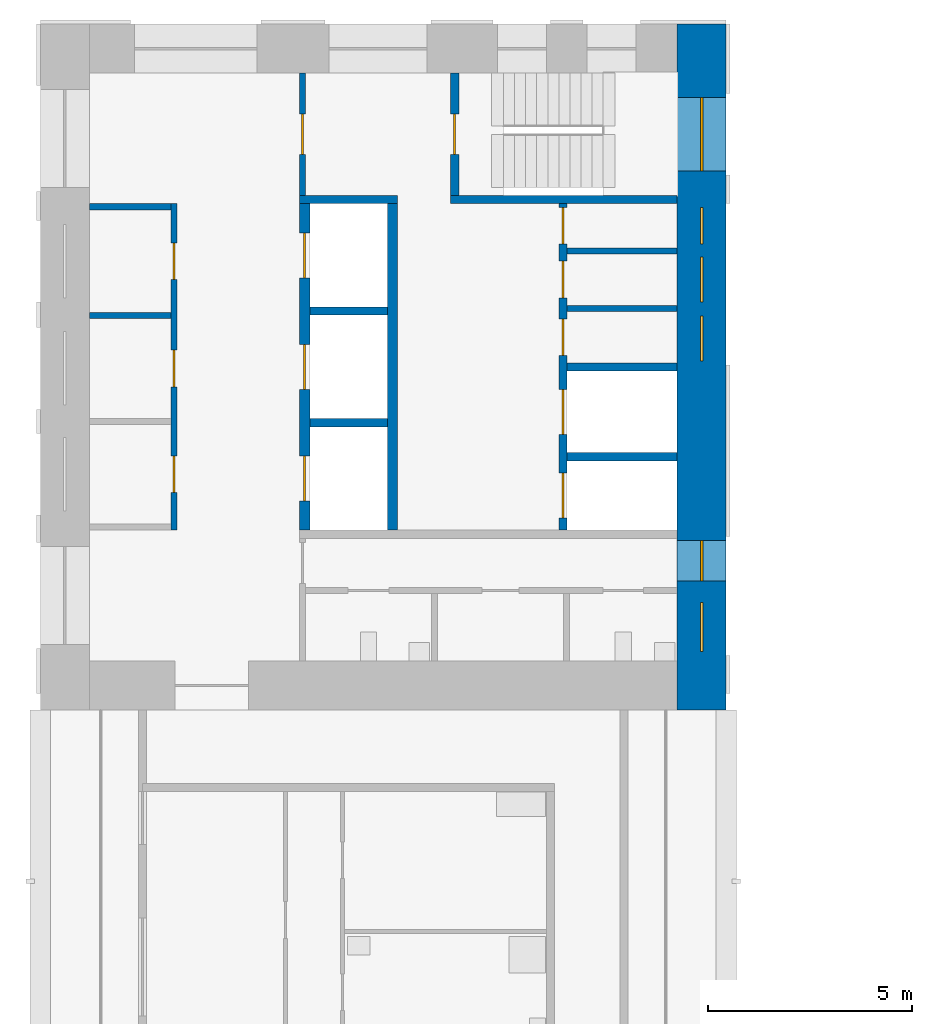
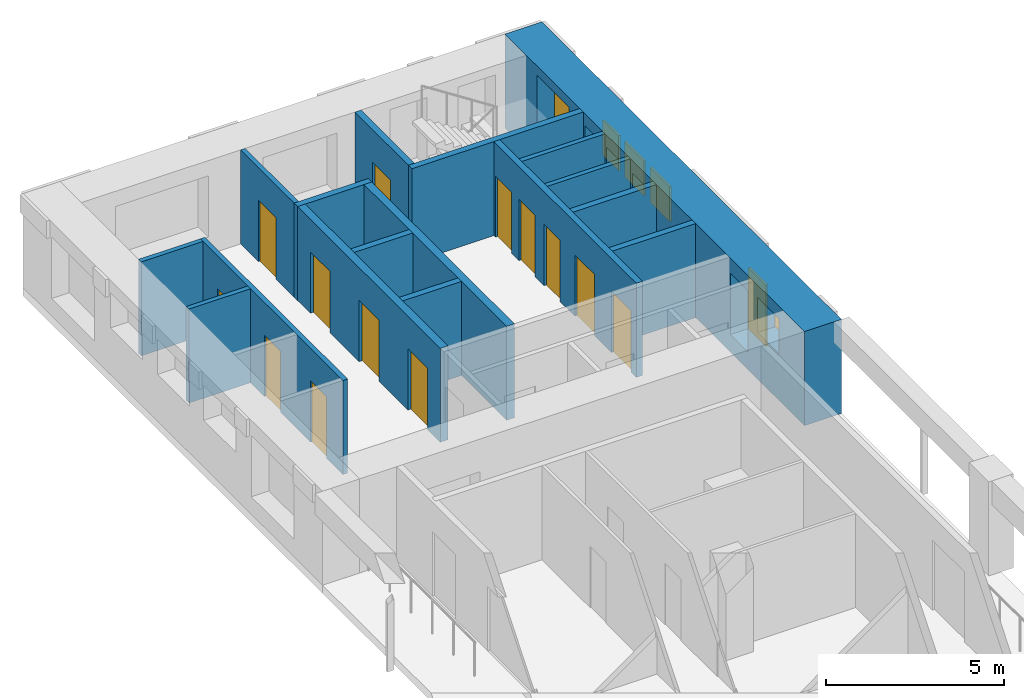
# One storey, part 6 of 10: 17 walls, 13 doors, 6 windows, 19 openings.
"""IFC4 building model written with IfcOpenShell, lengths in metres."""

from ifc_helpers import new_model, si_unit, direction, frame, frame_2d, origin, place, context, subcontext, project, spatial, rectangle, extrude, material, layer, layer_set, type_object, element, fill, save


model = new_model("IFC4")

# Units and contexts
model_context = context("Model", 3, precision=1e-05, world=origin(), true_north=direction((0.0, 1.0)))
body_context = subcontext(model_context, "Body", "Model", "MODEL_VIEW")
ifc_project = project(units=[si_unit("LENGTHUNIT", "METRE"), si_unit("AREAUNIT", "SQUARE_METRE"), si_unit("VOLUMEUNIT", "CUBIC_METRE"), si_unit("PLANEANGLEUNIT", "RADIAN"), si_unit("MASSUNIT", "GRAM", prefix="KILO")], contexts=[model_context])

# Site, building, storey
site_placement = place(None, origin())
site = spatial("IfcSite", under=ifc_project, at=site_placement, CompositionType="ELEMENT")
building_placement = place(site_placement, origin())
building = spatial("IfcBuilding", under=site, at=building_placement, Name="Vermilion Gate Residences", CompositionType="ELEMENT")
storey_placement = place(building_placement, frame((0.0, 0.0, 270.199951171875)))
storey = spatial("IfcBuildingStorey", under=building, at=storey_placement, Name="L71", CompositionType="ELEMENT", Elevation=270.199951171875)

# Walls
ifc_material_1 = material(Name="Masonry blockwork", Category="masonry")
ifc_layer_1 = layer(ifc_material_1, 0.14990234375)
ifc_layer_set_1 = layer_set([ifc_layer_1], Name="BLOCKWORK PARTITION 150 EI 120")
wall_type_1 = type_object("IfcWallType", Name="BLOCKWORK PARTITION 150 EI 120", PredefinedType="PARTITIONING", material=ifc_layer_set_1)
for number, where, z_axis, x_axis, name in (
    (1, (9.60009765625, 54.324951171875, 0.0), (0.0, 0.0, 1.0), (1.0, 0.0, 0.0), "Core room partition B71-RW-W"),
    (2, (9.60009765625, 51.658935546875, 0.0), (0.0, 0.0, 1.0), (1.0, 0.0, 0.0), "Core room partition B71-SR-P0"),
):
    element("IfcWall", number, at=place(storey_placement, frame(where, z_axis=z_axis, x_axis=x_axis)), inside=storey, type_object=wall_type_1, Name=name, PredefinedType="PARTITIONING", context=body_context, shape_type="SweptSolid", body=[
        extrude(rectangle(XDim=2.0, YDim=0.14990234375, at=frame_2d((1.0, 0.0))), origin(), (0.0, 0.0, 1.0), 3.219970703125),
    ])

# Wall, openings, doors
wall_1_placement = place(storey_placement, frame((11.675048828125, 54.39990234375, 0.0), z_axis=(0.0, 0.0, 1.0), x_axis=(0.0, -1.0, 0.0)))
wall_1 = element("IfcWall", 3, at=wall_1_placement, inside=storey, type_object=wall_type_1, Name="Core room partition B71-LR-F", PredefinedType="PARTITIONING", context=body_context, shape_type="SweptSolid", body=[
    extrude(rectangle(XDim=8.0, YDim=0.14990234375, at=frame_2d((4.0, 0.0))), origin(), (0.0, 0.0, 1.0), 3.219970703125),
])
opening_1_placement = place(wall_1_placement, frame((0.9580078125, 0.0, 0.0)))
opening_1 = element("IfcOpeningElement", 4, at=opening_1_placement, cuts=wall_1, Name="Opening DK71102", PredefinedType="OPENING", context=body_context, shape_type="SweptSolid", body=[
    extrude(rectangle(XDim=0.89990234375, YDim=2.10009765625, at=frame_2d((0.449951171875, 1.050048828125))), frame((0.0, 0.0849609375, 0.0), z_axis=(0.0, -1.0, 0.0), x_axis=(1.0, 0.0, 0.0)), (0.0, 0.0, 1.0), 0.169921875),
])
opening_2_placement = place(wall_1_placement, frame((3.5869140625, 0.0, 0.0)))
opening_2 = element("IfcOpeningElement", 5, at=opening_2_placement, cuts=wall_1, Name="Opening DK71103", PredefinedType="OPENING", context=body_context, shape_type="SweptSolid", body=[
    extrude(rectangle(XDim=0.89990234375, YDim=2.10009765625, at=frame_2d((0.449951171875, 1.050048828125))), frame((0.0, 0.0849609375, 0.0), z_axis=(0.0, -1.0, 0.0), x_axis=(1.0, 0.0, 0.0)), (0.0, 0.0, 1.0), 0.169921875),
])
opening_3_placement = place(wall_1_placement, frame((6.178955078125, 0.0, 0.0)))
opening_3 = element("IfcOpeningElement", 6, at=opening_3_placement, cuts=wall_1, Name="Opening DK71104", PredefinedType="OPENING", context=body_context, shape_type="SweptSolid", body=[
    extrude(rectangle(XDim=0.89990234375, YDim=2.10009765625, at=frame_2d((0.449951171875, 1.050048828125))), frame((0.0, 0.0849609375, 0.0), z_axis=(0.0, -1.0, 0.0), x_axis=(1.0, 0.0, 0.0)), (0.0, 0.0, 1.0), 0.169921875),
])
ifc_material_2 = material(Name="Steel", Category="steel")
door_type_1 = type_object("IfcDoorType", Name="SERVICE ROOM DOOR FD60 900 X 2100", OperationType="SINGLE_SWING_LEFT", PredefinedType="DOOR", material=ifc_material_2)
door_1_placement = place(opening_1_placement, frame((0.89990234375, 0.0, 0.0), z_axis=(0.0, 0.0, 1.0), x_axis=(-1.0, 0.0, 0.0)))
door_1 = element("IfcDoor", 7, at=door_1_placement, inside=storey, type_object=door_type_1, Name="Mail room B71", OperationType="SINGLE_SWING_RIGHT", OverallHeight=2.10009765625, OverallWidth=0.89990234375, PredefinedType="DOOR", context=body_context, shape_type="SweptSolid", body=[
    extrude(rectangle(XDim=0.89990234375, YDim=2.10009765625, at=frame_2d((0.449951171875, 1.050048828125))), frame((0.0, 0.02490234375, 0.0), z_axis=(0.0, -1.0, 0.0), x_axis=(1.0, 0.0, 0.0)), (0.0, 0.0, 1.0), 0.050048828125),
])
fill(opening_1, door_1)
door_2_placement = place(opening_2_placement, frame((0.89990234375, 0.0, 0.0), z_axis=(0.0, 0.0, 1.0), x_axis=(-1.0, 0.0, 0.0)))
door_2 = element("IfcDoor", 8, at=door_2_placement, inside=storey, type_object=door_type_1, Name="Cleaner's store B71", OperationType="SINGLE_SWING_LEFT", OverallHeight=2.10009765625, OverallWidth=0.89990234375, PredefinedType="DOOR", context=body_context, shape_type="SweptSolid", body=[
    extrude(rectangle(XDim=0.89990234375, YDim=2.10009765625, at=frame_2d((0.449951171875, 1.050048828125))), frame((0.0, 0.02490234375, 0.0), z_axis=(0.0, -1.0, 0.0), x_axis=(1.0, 0.0, 0.0)), (0.0, 0.0, 1.0), 0.050048828125),
])
fill(opening_2, door_2)
door_3_placement = place(opening_3_placement, origin())
door_3 = element("IfcDoor", 9, at=door_3_placement, inside=storey, type_object=door_type_1, Name="Electrical room B71", OperationType="SINGLE_SWING_LEFT", OverallHeight=2.10009765625, OverallWidth=0.89990234375, PredefinedType="DOOR", context=body_context, shape_type="SweptSolid", body=[
    extrude(rectangle(XDim=0.89990234375, YDim=2.10009765625, at=frame_2d((0.449951171875, 1.050048828125))), frame((0.0, 0.02490234375, 0.0), z_axis=(0.0, -1.0, 0.0), x_axis=(1.0, 0.0, 0.0)), (0.0, 0.0, 1.0), 0.050048828125),
])
fill(opening_3, door_3)

# Walls
for number, where, z_axis, x_axis, name in (
    (10, (21.300048828125, 53.2451171875, 0.0), (0.0, 0.0, 1.0), (1.0, 0.0, 0.0), "Core room partition B71-NR-P0"),
    (11, (21.300048828125, 51.8349609375, 0.0), (0.0, 0.0, 1.0), (1.0, 0.0, 0.0), "Core room partition B71-NR-P1"),
):
    element("IfcWall", number, at=place(storey_placement, frame(where, z_axis=z_axis, x_axis=x_axis)), inside=storey, type_object=wall_type_1, Name=name, PredefinedType="PARTITIONING", context=body_context, shape_type="SweptSolid", body=[
        extrude(rectangle(XDim=2.699951171875, YDim=0.14990234375, at=frame_2d((1.35009765625, 0.0))), origin(), (0.0, 0.0, 1.0), 3.219970703125),
    ])

# Wall, opening, door
wall_2_placement = place(storey_placement, frame((14.824951171875, 57.60009765625, 0.0), z_axis=(0.0, 0.0, 1.0), x_axis=(0.0, -1.0, 0.0)))
wall_2 = element("IfcWall", 12, at=wall_2_placement, inside=storey, type_object=wall_type_1, Name="Core room partition B71-VW-S", PredefinedType="PARTITIONING", context=body_context, shape_type="SweptSolid", body=[
    extrude(rectangle(XDim=3.0, YDim=0.14990234375, at=frame_2d((1.5, 0.0))), origin(), (0.0, 0.0, 1.0), 3.219970703125),
])
opening_4_placement = place(wall_2_placement, frame((1.0, 0.0, 0.0)))
opening_4 = element("IfcOpeningElement", 13, at=opening_4_placement, cuts=wall_2, Name="Opening DK71113", PredefinedType="OPENING", context=body_context, shape_type="SweptSolid", body=[
    extrude(rectangle(XDim=1.0, YDim=2.10009765625, at=frame_2d((0.5, 1.050048828125))), frame((0.0, 0.0849609375, 0.0), z_axis=(0.0, -1.0, 0.0), x_axis=(1.0, 0.0, 0.0)), (0.0, 0.0, 1.0), 0.169921875),
])
ifc_material_3 = material(Name="Steel", Category="steel")
door_type_2 = type_object("IfcDoorType", Name="FIRE DOOR FD60 1000 X 2100", OperationType="SINGLE_SWING_LEFT", PredefinedType="DOOR", material=ifc_material_3)
door_4_placement = place(opening_4_placement, frame((1.0, 0.0, 0.0), z_axis=(0.0, 0.0, 1.0), x_axis=(-1.0, 0.0, 0.0)))
door_4 = element("IfcDoor", 14, at=door_4_placement, inside=storey, type_object=door_type_2, Name="Stair vestibule door B71", OperationType="SINGLE_SWING_RIGHT", OverallHeight=2.10009765625, OverallWidth=1.0, PredefinedType="DOOR", context=body_context, shape_type="SweptSolid", body=[
    extrude(rectangle(XDim=1.0, YDim=2.10009765625, at=frame_2d((0.5, 1.050048828125))), frame((0.0, 0.02490234375, 0.0), z_axis=(0.0, -1.0, 0.0), x_axis=(1.0, 0.0, 0.0)), (0.0, 0.0, 1.0), 0.050048828125),
])
fill(opening_4, door_4)

# Walls
ifc_material_4 = material(Name="Concrete C60", Category="concrete")
ifc_layer_2 = layer(ifc_material_4, 0.199951171875)
ifc_layer_set_2 = layer_set([ifc_layer_2], Name="RC CORE INTERNAL WALL 200 C60")
wall_type_2 = type_object("IfcWallType", Name="RC CORE INTERNAL WALL 200 C60", PredefinedType="SHEAR", material=ifc_layer_set_2)
for number, where, z_axis, x_axis, name in (
    (15, (15.0, 51.7666015625, 0.0), (0.0, 0.0, 1.0), (1.0, 0.0, 0.0), "Core internal wall B71-HR-D1"),
    (16, (15.0, 49.033447265625, 0.0), (0.0, 0.0, 1.0), (1.0, 0.0, 0.0), "Core internal wall B71-HR-D2"),
):
    element("IfcWall", number, at=place(storey_placement, frame(where, z_axis=z_axis, x_axis=x_axis)), inside=storey, type_object=wall_type_2, Name=name, PredefinedType="SHEAR", context=body_context, shape_type="SweptSolid", body=[
        extrude(rectangle(XDim=1.89990234375, YDim=0.199951171875, at=frame_2d((0.949951171875, 0.0))), origin(), (0.0, 0.0, 1.0), 3.219970703125),
    ])
for number, where, z_axis, x_axis, name in (
    (17, (21.300048828125, 50.39990234375, 0.0), (0.0, 0.0, 1.0), (1.0, 0.0, 0.0), "Core internal wall B71-FF-D0"),
    (18, (21.300048828125, 48.199951171875, 0.0), (0.0, 0.0, 1.0), (1.0, 0.0, 0.0), "Core internal wall B71-FF-D1"),
):
    element("IfcWall", number, at=place(storey_placement, frame(where, z_axis=z_axis, x_axis=x_axis)), inside=storey, type_object=wall_type_2, Name=name, PredefinedType="SHEAR", context=body_context, shape_type="SweptSolid", body=[
        extrude(rectangle(XDim=2.699951171875, YDim=0.199951171875, at=frame_2d((1.35009765625, 0.0))), origin(), (0.0, 0.0, 1.0), 3.219970703125),
    ])

# Wall, openings, doors
wall_3_placement = place(storey_placement, frame((21.199951171875, 54.39990234375, 0.0), z_axis=(0.0, 0.0, 1.0), x_axis=(0.0, -1.0, 0.0)))
wall_3 = element("IfcWall", 19, at=wall_3_placement, inside=storey, type_object=wall_type_2, Name="Core internal wall B71-FF-F", PredefinedType="SHEAR", context=body_context, shape_type="SweptSolid", body=[
    extrude(rectangle(XDim=8.0, YDim=0.199951171875, at=frame_2d((4.0, 0.0))), origin(), (0.0, 0.0, 1.0), 3.219970703125),
])
opening_5_placement = place(wall_3_placement, frame((0.090087890625, 0.0, 0.0)))
opening_5 = element("IfcOpeningElement", 20, at=opening_5_placement, cuts=wall_3, Name="Opening DK71108", PredefinedType="OPENING", context=body_context, shape_type="SweptSolid", body=[
    extrude(rectangle(XDim=0.89990234375, YDim=2.10009765625, at=frame_2d((0.449951171875, 1.050048828125))), frame((0.0, 0.10986328125, 0.0), z_axis=(0.0, -1.0, 0.0), x_axis=(1.0, 0.0, 0.0)), (0.0, 0.0, 1.0), 0.219970703125),
])
opening_6_placement = place(wall_3_placement, frame((1.409912109375, 0.0, 0.0)))
opening_6 = element("IfcOpeningElement", 21, at=opening_6_placement, cuts=wall_3, Name="Opening DK71109", PredefinedType="OPENING", context=body_context, shape_type="SweptSolid", body=[
    extrude(rectangle(XDim=0.89990234375, YDim=2.10009765625, at=frame_2d((0.449951171875, 1.050048828125))), frame((0.0, 0.10986328125, 0.0), z_axis=(0.0, -1.0, 0.0), x_axis=(1.0, 0.0, 0.0)), (0.0, 0.0, 1.0), 0.219970703125),
])
opening_7_placement = place(wall_3_placement, frame((2.820068359375, 0.0, 0.0)))
opening_7 = element("IfcOpeningElement", 22, at=opening_7_placement, cuts=wall_3, Name="Opening DK71110", PredefinedType="OPENING", context=body_context, shape_type="SweptSolid", body=[
    extrude(rectangle(XDim=0.89990234375, YDim=2.10009765625, at=frame_2d((0.449951171875, 1.050048828125))), frame((0.0, 0.10986328125, 0.0), z_axis=(0.0, -1.0, 0.0), x_axis=(1.0, 0.0, 0.0)), (0.0, 0.0, 1.0), 0.219970703125),
])
opening_8_placement = place(wall_3_placement, frame((4.550048828125, 0.0, 0.0)))
opening_8 = element("IfcOpeningElement", 23, at=opening_8_placement, cuts=wall_3, Name="Opening LD", PredefinedType="OPENING", context=body_context, shape_type="SweptSolid", body=[
    extrude(rectangle(XDim=1.10009765625, YDim=2.10009765625, at=frame_2d((0.550048828125, 1.050048828125))), frame((0.0, 0.10986328125, 0.0), z_axis=(0.0, -1.0, 0.0), x_axis=(1.0, 0.0, 0.0)), (0.0, 0.0, 1.0), 0.219970703125),
])
opening_9_placement = place(wall_3_placement, frame((6.60009765625, 0.0, 0.0)))
opening_9 = element("IfcOpeningElement", 24, at=opening_9_placement, cuts=wall_3, Name="Opening LD", PredefinedType="OPENING", context=body_context, shape_type="SweptSolid", body=[
    extrude(rectangle(XDim=1.10009765625, YDim=2.10009765625, at=frame_2d((0.550048828125, 1.050048828125))), frame((0.0, 0.10986328125, 0.0), z_axis=(0.0, -1.0, 0.0), x_axis=(1.0, 0.0, 0.0)), (0.0, 0.0, 1.0), 0.219970703125),
])
ifc_material_5 = material(Name="Stainless steel", Category="steel")
door_type_3 = type_object("IfcDoorType", Name="LIFT LANDING DOOR E60 1100 X 2100", OperationType="DOUBLE_DOOR_SLIDING", PredefinedType="DOOR", material=ifc_material_5)
door_5_placement = place(opening_8_placement, origin())
door_5 = element("IfcDoor", 25, at=door_5_placement, inside=storey, type_object=door_type_3, Name="Lift landing door LFB1", OperationType="DOUBLE_DOOR_SLIDING", OverallHeight=2.10009765625, OverallWidth=1.10009765625, PredefinedType="DOOR", context=body_context, shape_type="SweptSolid", body=[
    extrude(rectangle(XDim=1.10009765625, YDim=2.10009765625, at=frame_2d((0.550048828125, 1.050048828125))), frame((0.0, 0.02490234375, 0.0), z_axis=(0.0, -1.0, 0.0), x_axis=(1.0, 0.0, 0.0)), (0.0, 0.0, 1.0), 0.050048828125),
])
fill(opening_8, door_5)
door_6_placement = place(opening_9_placement, origin())
door_6 = element("IfcDoor", 26, at=door_6_placement, inside=storey, type_object=door_type_3, Name="Lift landing door LCB1", OperationType="DOUBLE_DOOR_SLIDING", OverallHeight=2.10009765625, OverallWidth=1.10009765625, PredefinedType="DOOR", context=body_context, shape_type="SweptSolid", body=[
    extrude(rectangle(XDim=1.10009765625, YDim=2.10009765625, at=frame_2d((0.550048828125, 1.050048828125))), frame((0.0, 0.02490234375, 0.0), z_axis=(0.0, -1.0, 0.0), x_axis=(1.0, 0.0, 0.0)), (0.0, 0.0, 1.0), 0.050048828125),
])
fill(opening_9, door_6)
door_7_placement = place(opening_5_placement, origin())
door_7 = element("IfcDoor", 27, at=door_7_placement, inside=storey, type_object=door_type_1, Name="Housekeeping store B71", OperationType="SINGLE_SWING_RIGHT", OverallHeight=2.10009765625, OverallWidth=0.89990234375, PredefinedType="DOOR", context=body_context, shape_type="SweptSolid", body=[
    extrude(rectangle(XDim=0.89990234375, YDim=2.10009765625, at=frame_2d((0.449951171875, 1.050048828125))), frame((0.0, 0.02490234375, 0.0), z_axis=(0.0, -1.0, 0.0), x_axis=(1.0, 0.0, 0.0)), (0.0, 0.0, 1.0), 0.050048828125),
])
fill(opening_5, door_7)
door_8_placement = place(opening_6_placement, origin())
door_8 = element("IfcDoor", 28, at=door_8_placement, inside=storey, type_object=door_type_1, Name="Mail room B71", OperationType="SINGLE_SWING_LEFT", OverallHeight=2.10009765625, OverallWidth=0.89990234375, PredefinedType="DOOR", context=body_context, shape_type="SweptSolid", body=[
    extrude(rectangle(XDim=0.89990234375, YDim=2.10009765625, at=frame_2d((0.449951171875, 1.050048828125))), frame((0.0, 0.02490234375, 0.0), z_axis=(0.0, -1.0, 0.0), x_axis=(1.0, 0.0, 0.0)), (0.0, 0.0, 1.0), 0.050048828125),
])
fill(opening_6, door_8)
door_9_placement = place(opening_7_placement, origin())
door_9 = element("IfcDoor", 29, at=door_9_placement, inside=storey, type_object=door_type_1, Name="Electrical riser B71", OperationType="SINGLE_SWING_LEFT", OverallHeight=2.10009765625, OverallWidth=0.89990234375, PredefinedType="DOOR", context=body_context, shape_type="SweptSolid", body=[
    extrude(rectangle(XDim=0.89990234375, YDim=2.10009765625, at=frame_2d((0.449951171875, 1.050048828125))), frame((0.0, 0.02490234375, 0.0), z_axis=(0.0, -1.0, 0.0), x_axis=(1.0, 0.0, 0.0)), (0.0, 0.0, 1.0), 0.050048828125),
])
fill(opening_7, door_9)

# Walls
wall_4_placement = place(storey_placement, frame((14.75, 54.5, 0.0), z_axis=(0.0, 0.0, 1.0), x_axis=(1.0, 0.0, 0.0)))
element("IfcWall", 30, at=wall_4_placement, inside=storey, type_object=wall_type_2, Name="Core internal wall B71-WDIV1", PredefinedType="SHEAR", context=body_context, shape_type="SweptSolid", body=[
    extrude(rectangle(XDim=2.39990234375, YDim=0.199951171875, at=frame_2d((1.199951171875, 0.0))), origin(), (0.0, 0.0, 1.0), 3.219970703125),
])
wall_5_placement = place(storey_placement, frame((18.449951171875, 54.5, 0.0), z_axis=(0.0, 0.0, 1.0), x_axis=(1.0, 0.0, 0.0)))
element("IfcWall", 31, at=wall_5_placement, inside=storey, type_object=wall_type_2, Name="Core internal wall B71-WDIV2", PredefinedType="SHEAR", context=body_context, shape_type="SweptSolid", body=[
    extrude(rectangle(XDim=5.550048828125, YDim=0.199951171875, at=frame_2d((2.77490234375, 0.0))), origin(), (0.0, 0.0, 1.0), 3.219970703125),
])

# Wall, opening, door
wall_6_placement = place(storey_placement, frame((18.550048828125, 57.60009765625, 0.0), z_axis=(0.0, 0.0, 1.0), x_axis=(0.0, -1.0, 0.0)))
wall_6 = element("IfcWall", 32, at=wall_6_placement, inside=storey, type_object=wall_type_2, Name="Core internal wall B71-STW-S", PredefinedType="SHEAR", context=body_context, shape_type="SweptSolid", body=[
    extrude(rectangle(XDim=3.0, YDim=0.199951171875, at=frame_2d((1.5, 0.0))), origin(), (0.0, 0.0, 1.0), 3.219970703125),
])
opening_10_placement = place(wall_6_placement, frame((1.0, 0.0, 0.0)))
opening_10 = element("IfcOpeningElement", 33, at=opening_10_placement, cuts=wall_6, Name="Opening DK71114", PredefinedType="OPENING", context=body_context, shape_type="SweptSolid", body=[
    extrude(rectangle(XDim=1.0, YDim=2.10009765625, at=frame_2d((0.5, 1.050048828125))), frame((0.0, 0.10986328125, 0.0), z_axis=(0.0, -1.0, 0.0), x_axis=(1.0, 0.0, 0.0)), (0.0, 0.0, 1.0), 0.219970703125),
])
door_10_placement = place(opening_10_placement, origin())
door_10 = element("IfcDoor", 34, at=door_10_placement, inside=storey, type_object=door_type_2, Name="Stair door B71", OperationType="SINGLE_SWING_LEFT", OverallHeight=2.10009765625, OverallWidth=1.0, PredefinedType="DOOR", context=body_context, shape_type="SweptSolid", body=[
    extrude(rectangle(XDim=1.0, YDim=2.10009765625, at=frame_2d((0.5, 1.050048828125))), frame((0.0, 0.02490234375, 0.0), z_axis=(0.0, -1.0, 0.0), x_axis=(1.0, 0.0, 0.0)), (0.0, 0.0, 1.0), 0.050048828125),
])
fill(opening_10, door_10)

# Wall, openings, windows
ifc_material_6 = material(Name="Concrete C50 red-oxide pigmented", Category="concrete")
ifc_layer_3 = layer(ifc_material_6, 1.199951171875)
ifc_layer_set_3 = layer_set([ifc_layer_3], Name="RC CORE WALL 1200 C50 RED OXIDE")
wall_type_3 = type_object("IfcWallType", Name="RC CORE WALL 1200 C50 RED OXIDE", PredefinedType="SHEAR", material=ifc_layer_set_3)
wall_7_placement = place(storey_placement, frame((24.60009765625, 58.800048828125, 0.0), z_axis=(0.0, 0.0, 1.0), x_axis=(0.0, -1.0, 0.0)))
wall_7 = element("IfcWall", 35, at=wall_7_placement, inside=storey, type_object=wall_type_3, Name="Core wall B71-OUT-B1", PredefinedType="SHEAR", context=body_context, shape_type="SweptSolid", body=[
    extrude(rectangle(XDim=16.800048828125, YDim=1.199951171875, at=frame_2d((8.39990234375, 0.0))), origin(), (0.0, 0.0, 1.0), 3.219970703125),
])
opening_11_placement = place(wall_7_placement, frame((1.800048828125, 0.0, 0.5)))
opening_11 = element("IfcOpeningElement", 36, at=opening_11_placement, cuts=wall_7, Name="Opening WKB7106", PredefinedType="OPENING", context=body_context, shape_type="SweptSolid", body=[
    extrude(rectangle(XDim=1.800048828125, YDim=2.39990234375, at=frame_2d((0.89990234375, 1.199951171875))), frame((0.0, 0.60986328125, 0.0), z_axis=(0.0, -1.0, 0.0), x_axis=(1.0, 0.0, 0.0)), (0.0, 0.0, 1.0), 1.219970703125),
])
opening_12_placement = place(wall_7_placement, frame((4.489990234375, 0.0, 1.60009765625)))
opening_12 = element("IfcOpeningElement", 37, at=opening_12_placement, cuts=wall_7, Name="Opening WKB7107", PredefinedType="OPENING", context=body_context, shape_type="SweptSolid", body=[
    extrude(rectangle(XDim=0.89990234375, YDim=1.199951171875, at=frame_2d((0.449951171875, 0.60009765625))), frame((0.0, 0.60986328125, 0.0), z_axis=(0.0, -1.0, 0.0), x_axis=(1.0, 0.0, 0.0)), (0.0, 0.0, 1.0), 1.219970703125),
])
opening_13_placement = place(wall_7_placement, frame((5.7099609375, 0.0, 1.60009765625)))
opening_13 = element("IfcOpeningElement", 38, at=opening_13_placement, cuts=wall_7, Name="Opening WKB7108", PredefinedType="OPENING", context=body_context, shape_type="SweptSolid", body=[
    extrude(rectangle(XDim=1.10009765625, YDim=1.199951171875, at=frame_2d((0.550048828125, 0.60009765625))), frame((0.0, 0.60986328125, 0.0), z_axis=(0.0, -1.0, 0.0), x_axis=(1.0, 0.0, 0.0)), (0.0, 0.0, 1.0), 1.219970703125),
])
opening_14_placement = place(wall_7_placement, frame((7.14990234375, 0.0, 1.60009765625)))
opening_14 = element("IfcOpeningElement", 39, at=opening_14_placement, cuts=wall_7, Name="Opening WKB7109", PredefinedType="OPENING", context=body_context, shape_type="SweptSolid", body=[
    extrude(rectangle(XDim=1.10009765625, YDim=1.199951171875, at=frame_2d((0.550048828125, 0.60009765625))), frame((0.0, 0.60986328125, 0.0), z_axis=(0.0, -1.0, 0.0), x_axis=(1.0, 0.0, 0.0)), (0.0, 0.0, 1.0), 1.219970703125),
])
opening_15_placement = place(wall_7_placement, frame((12.64990234375, 0.0, 0.60009765625)))
opening_15 = element("IfcOpeningElement", 40, at=opening_15_placement, cuts=wall_7, Name="Opening WKB7110", PredefinedType="OPENING", context=body_context, shape_type="SweptSolid", body=[
    extrude(rectangle(XDim=1.0, YDim=2.10009765625, at=frame_2d((0.5, 1.050048828125))), frame((0.0, 0.60986328125, 0.0), z_axis=(0.0, -1.0, 0.0), x_axis=(1.0, 0.0, 0.0)), (0.0, 0.0, 1.0), 1.219970703125),
])
opening_16_placement = place(wall_7_placement, frame((14.175048828125, 0.0, 1.60009765625)))
opening_16 = element("IfcOpeningElement", 41, at=opening_16_placement, cuts=wall_7, Name="Opening WKB7111", PredefinedType="OPENING", context=body_context, shape_type="SweptSolid", body=[
    extrude(rectangle(XDim=1.199951171875, YDim=1.199951171875, at=frame_2d((0.60009765625, 0.60009765625))), frame((0.0, 0.60986328125, 0.0), z_axis=(0.0, -1.0, 0.0), x_axis=(1.0, 0.0, 0.0)), (0.0, 0.0, 1.0), 1.219970703125),
])
ifc_material_7 = material(Name="Aluminium and clear glass", Category="aluminium")
window_type_1 = type_object("IfcWindowType", Name="CORE CORRIDOR WINDOW 1000 X 2100", PartitioningType="SINGLE_PANEL", PredefinedType="WINDOW", material=ifc_material_7)
window_1_placement = place(opening_15_placement, origin())
window_1 = element("IfcWindow", 42, at=window_1_placement, inside=storey, type_object=window_type_1, Name="Core corridor window", OverallHeight=2.10009765625, OverallWidth=1.0, PartitioningType="SINGLE_PANEL", PredefinedType="WINDOW", context=body_context, shape_type="SweptSolid", body=[
    extrude(rectangle(XDim=1.0, YDim=2.10009765625, at=frame_2d((0.5, 1.050048828125))), frame((0.0, 0.030029296875, 0.0), z_axis=(0.0, -1.0, 0.0), x_axis=(1.0, 0.0, 0.0)), (0.0, 0.0, 1.0), 0.06005859375),
])
fill(opening_15, window_1)
ifc_material_8 = material(Name="Aluminium frame with louvre blades", Category="aluminium")
window_type_2 = type_object("IfcWindowType", Name="CORE LOUVRE 1100 X 1200", PartitioningType="SINGLE_PANEL", PredefinedType="WINDOW", material=ifc_material_8)
window_2_placement = place(opening_13_placement, origin())
window_2 = element("IfcWindow", 43, at=window_2_placement, inside=storey, type_object=window_type_2, Name="Core louvre", OverallHeight=1.199951171875, OverallWidth=1.10009765625, PartitioningType="SINGLE_PANEL", PredefinedType="WINDOW", context=body_context, shape_type="SweptSolid", body=[
    extrude(rectangle(XDim=1.10009765625, YDim=1.199951171875, at=frame_2d((0.550048828125, 0.60009765625))), frame((0.0, 0.030029296875, 0.0), z_axis=(0.0, -1.0, 0.0), x_axis=(1.0, 0.0, 0.0)), (0.0, 0.0, 1.0), 0.06005859375),
])
fill(opening_13, window_2)
window_3_placement = place(opening_14_placement, origin())
window_3 = element("IfcWindow", 44, at=window_3_placement, inside=storey, type_object=window_type_2, Name="Core louvre", OverallHeight=1.199951171875, OverallWidth=1.10009765625, PartitioningType="SINGLE_PANEL", PredefinedType="WINDOW", context=body_context, shape_type="SweptSolid", body=[
    extrude(rectangle(XDim=1.10009765625, YDim=1.199951171875, at=frame_2d((0.550048828125, 0.60009765625))), frame((0.0, 0.030029296875, 0.0), z_axis=(0.0, -1.0, 0.0), x_axis=(1.0, 0.0, 0.0)), (0.0, 0.0, 1.0), 0.06005859375),
])
fill(opening_14, window_3)
ifc_material_9 = material(Name="Aluminium frame with louvre blades", Category="aluminium")
window_type_3 = type_object("IfcWindowType", Name="CORE LOUVRE 1200 X 1200", PartitioningType="SINGLE_PANEL", PredefinedType="WINDOW", material=ifc_material_9)
window_4_placement = place(opening_16_placement, origin())
window_4 = element("IfcWindow", 45, at=window_4_placement, inside=storey, type_object=window_type_3, Name="Core louvre", OverallHeight=1.199951171875, OverallWidth=1.199951171875, PartitioningType="SINGLE_PANEL", PredefinedType="WINDOW", context=body_context, shape_type="SweptSolid", body=[
    extrude(rectangle(XDim=1.199951171875, YDim=1.199951171875, at=frame_2d((0.60009765625, 0.60009765625))), frame((0.0, 0.030029296875, 0.0), z_axis=(0.0, -1.0, 0.0), x_axis=(1.0, 0.0, 0.0)), (0.0, 0.0, 1.0), 0.06005859375),
])
fill(opening_16, window_4)
ifc_material_10 = material(Name="Aluminium frame with louvre blades", Category="aluminium")
window_type_4 = type_object("IfcWindowType", Name="CORE LOUVRE 900 X 1200", PartitioningType="SINGLE_PANEL", PredefinedType="WINDOW", material=ifc_material_10)
window_5_placement = place(opening_12_placement, origin())
window_5 = element("IfcWindow", 46, at=window_5_placement, inside=storey, type_object=window_type_4, Name="Core louvre", OverallHeight=1.199951171875, OverallWidth=0.89990234375, PartitioningType="SINGLE_PANEL", PredefinedType="WINDOW", context=body_context, shape_type="SweptSolid", body=[
    extrude(rectangle(XDim=0.89990234375, YDim=1.199951171875, at=frame_2d((0.449951171875, 0.60009765625))), frame((0.0, 0.030029296875, 0.0), z_axis=(0.0, -1.0, 0.0), x_axis=(1.0, 0.0, 0.0)), (0.0, 0.0, 1.0), 0.06005859375),
])
fill(opening_12, window_5)
ifc_material_11 = material(Name="Aluminium and clear glass", Category="aluminium")
window_type_5 = type_object("IfcWindowType", Name="CORE STAIR WINDOW 1800 X 2400", PartitioningType="SINGLE_PANEL", PredefinedType="WINDOW", material=ifc_material_11)
window_6_placement = place(opening_11_placement, origin())
window_6 = element("IfcWindow", 47, at=window_6_placement, inside=storey, type_object=window_type_5, Name="Core stair window", OverallHeight=2.39990234375, OverallWidth=1.800048828125, PartitioningType="SINGLE_PANEL", PredefinedType="WINDOW", context=body_context, shape_type="SweptSolid", body=[
    extrude(rectangle(XDim=1.800048828125, YDim=2.39990234375, at=frame_2d((0.89990234375, 1.199951171875))), frame((0.0, 0.030029296875, 0.0), z_axis=(0.0, -1.0, 0.0), x_axis=(1.0, 0.0, 0.0)), (0.0, 0.0, 1.0), 0.06005859375),
])
fill(opening_11, window_6)

# Wall, openings, doors
ifc_material_12 = material(Name="Concrete C60", Category="concrete")
ifc_layer_4 = layer(ifc_material_12, 0.25)
ifc_layer_set_4 = layer_set([ifc_layer_4], Name="RC LIFT SHAFT WALL 250 C60")
wall_type_4 = type_object("IfcWallType", Name="RC LIFT SHAFT WALL 250 C60", PredefinedType="SHEAR", material=ifc_layer_set_4)
wall_8_placement = place(storey_placement, frame((14.875, 54.39990234375, 0.0), z_axis=(0.0, 0.0, 1.0), x_axis=(0.0, -1.0, 0.0)))
wall_8 = element("IfcWall", 48, at=wall_8_placement, inside=storey, type_object=wall_type_4, Name="Lift shaft wall B71-HR-F", PredefinedType="SHEAR", context=body_context, shape_type="SweptSolid", body=[
    extrude(rectangle(XDim=8.0, YDim=0.25, at=frame_2d((4.0, 0.0))), origin(), (0.0, 0.0, 1.0), 3.219970703125),
])
opening_17_placement = place(wall_8_placement, frame((0.716552734375, 0.0, 0.0)))
opening_17 = element("IfcOpeningElement", 49, at=opening_17_placement, cuts=wall_8, Name="Opening LD", PredefinedType="OPENING", context=body_context, shape_type="SweptSolid", body=[
    extrude(rectangle(XDim=1.10009765625, YDim=2.10009765625, at=frame_2d((0.550048828125, 1.050048828125))), frame((0.0, 0.135009765625, 0.0), z_axis=(0.0, -1.0, 0.0), x_axis=(1.0, 0.0, 0.0)), (0.0, 0.0, 1.0), 0.27001953125),
])
opening_18_placement = place(wall_8_placement, frame((3.449951171875, 0.0, 0.0)))
opening_18 = element("IfcOpeningElement", 50, at=opening_18_placement, cuts=wall_8, Name="Opening LD", PredefinedType="OPENING", context=body_context, shape_type="SweptSolid", body=[
    extrude(rectangle(XDim=1.10009765625, YDim=2.10009765625, at=frame_2d((0.550048828125, 1.050048828125))), frame((0.0, 0.135009765625, 0.0), z_axis=(0.0, -1.0, 0.0), x_axis=(1.0, 0.0, 0.0)), (0.0, 0.0, 1.0), 0.27001953125),
])
opening_19_placement = place(wall_8_placement, frame((6.183349609375, 0.0, 0.0)))
opening_19 = element("IfcOpeningElement", 51, at=opening_19_placement, cuts=wall_8, Name="Opening LD", PredefinedType="OPENING", context=body_context, shape_type="SweptSolid", body=[
    extrude(rectangle(XDim=1.10009765625, YDim=2.10009765625, at=frame_2d((0.550048828125, 1.050048828125))), frame((0.0, 0.135009765625, 0.0), z_axis=(0.0, -1.0, 0.0), x_axis=(1.0, 0.0, 0.0)), (0.0, 0.0, 1.0), 0.27001953125),
])
door_11_placement = place(opening_17_placement, origin())
door_11 = element("IfcDoor", 52, at=door_11_placement, inside=storey, type_object=door_type_3, Name="Lift landing door HRB1", OperationType="DOUBLE_DOOR_SLIDING", OverallHeight=2.10009765625, OverallWidth=1.10009765625, PredefinedType="DOOR", context=body_context, shape_type="SweptSolid", body=[
    extrude(rectangle(XDim=1.10009765625, YDim=2.10009765625, at=frame_2d((0.550048828125, 1.050048828125))), frame((0.0, 0.02490234375, 0.0), z_axis=(0.0, -1.0, 0.0), x_axis=(1.0, 0.0, 0.0)), (0.0, 0.0, 1.0), 0.050048828125),
])
fill(opening_17, door_11)
door_12_placement = place(opening_18_placement, origin())
door_12 = element("IfcDoor", 53, at=door_12_placement, inside=storey, type_object=door_type_3, Name="Lift landing door HRB2", OperationType="DOUBLE_DOOR_SLIDING", OverallHeight=2.10009765625, OverallWidth=1.10009765625, PredefinedType="DOOR", context=body_context, shape_type="SweptSolid", body=[
    extrude(rectangle(XDim=1.10009765625, YDim=2.10009765625, at=frame_2d((0.550048828125, 1.050048828125))), frame((0.0, 0.02490234375, 0.0), z_axis=(0.0, -1.0, 0.0), x_axis=(1.0, 0.0, 0.0)), (0.0, 0.0, 1.0), 0.050048828125),
])
fill(opening_18, door_12)
door_13_placement = place(opening_19_placement, origin())
door_13 = element("IfcDoor", 54, at=door_13_placement, inside=storey, type_object=door_type_3, Name="Lift landing door HRB3", OperationType="DOUBLE_DOOR_SLIDING", OverallHeight=2.10009765625, OverallWidth=1.10009765625, PredefinedType="DOOR", context=body_context, shape_type="SweptSolid", body=[
    extrude(rectangle(XDim=1.10009765625, YDim=2.10009765625, at=frame_2d((0.550048828125, 1.050048828125))), frame((0.0, 0.02490234375, 0.0), z_axis=(0.0, -1.0, 0.0), x_axis=(1.0, 0.0, 0.0)), (0.0, 0.0, 1.0), 0.050048828125),
])
fill(opening_19, door_13)

# Wall
wall_9_placement = place(storey_placement, frame((17.02490234375, 54.39990234375, 0.0), z_axis=(0.0, 0.0, 1.0), x_axis=(0.0, -1.0, 0.0)))
element("IfcWall", 55, at=wall_9_placement, inside=storey, type_object=wall_type_4, Name="Lift shaft wall B71-HR-B", PredefinedType="SHEAR", context=body_context, shape_type="SweptSolid", body=[
    extrude(rectangle(XDim=8.0, YDim=0.25, at=frame_2d((4.0, 0.0))), origin(), (0.0, 0.0, 1.0), 3.219970703125),
])

save(model, "model.ifc")
